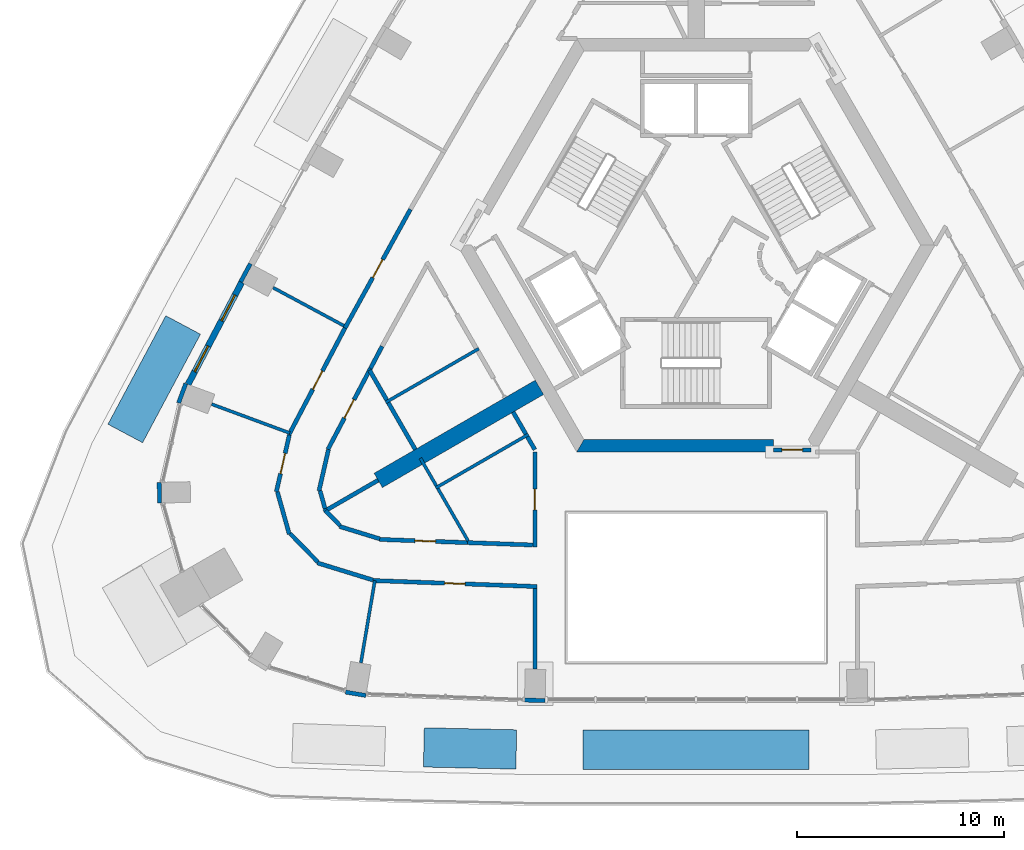
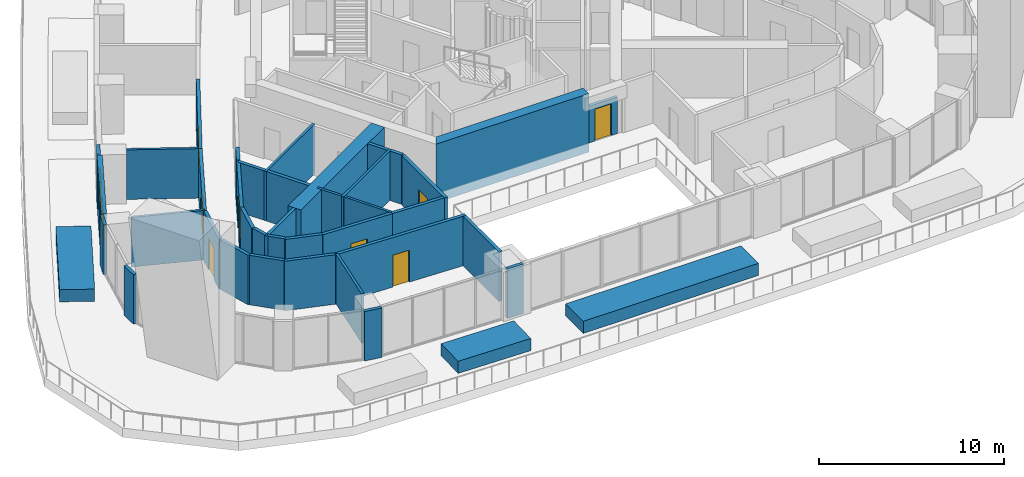
# One storey, part 5 of 14: 41 walls, 8 doors, 2 windows, 10 openings.
"""IFC4 building model written with IfcOpenShell, lengths in metres."""

from ifc_helpers import new_model, si_unit, direction, frame, frame_2d, origin, place, context, subcontext, project, spatial, polyline, rectangle, outline, extrude, material, layer, layer_set, type_object, element, fill, save


model = new_model("IFC4")

# Units and contexts
model_context = context("Model", 3, precision=1e-05, world=origin(), true_north=direction((0.0, 1.0)))
body_context = subcontext(model_context, "Body", "Model", "MODEL_VIEW")
ifc_project = project(units=[si_unit("LENGTHUNIT", "METRE"), si_unit("AREAUNIT", "SQUARE_METRE"), si_unit("VOLUMEUNIT", "CUBIC_METRE"), si_unit("PLANEANGLEUNIT", "RADIAN"), si_unit("MASSUNIT", "GRAM", prefix="KILO")], contexts=[model_context])

# Site, building, storey
site_placement = place(None, origin())
site = spatial("IfcSite", under=ifc_project, at=site_placement, CompositionType="ELEMENT")
building_placement = place(site_placement, origin())
building = spatial("IfcBuilding", under=site, at=building_placement, Name="Entoto Arch Interchange Tower", CompositionType="ELEMENT")
storey_placement = place(building_placement, frame((0.0, 0.0, 241.39990234375)))
storey = spatial("IfcBuildingStorey", under=building, at=storey_placement, Name="L54", CompositionType="ELEMENT", Elevation=241.39990234375)

# Wall
ifc_material_1 = material(Name="Concrete C40/50", Category="concrete")
ifc_layer_1 = layer(ifc_material_1, 0.800048828125)
ifc_layer_set_1 = layer_set([ifc_layer_1], Name="Concrete C40/50")
wall_type_1 = type_object("IfcWallType", Name="Buttress wall 800 C40/50", PredefinedType="SHEAR", material=ifc_layer_set_1)
wall_1_placement = place(storey_placement, frame((-7.577880859375, -4.375, -0.599853515625), z_axis=(0.0, 0.0, 1.0), x_axis=(-0.866024315419, -0.5000018851, 0.0)))
element("IfcWall", 1, at=wall_1_placement, inside=storey, type_object=wall_type_1, Name="Buttress wall SW L54", PredefinedType="SHEAR", context=body_context, shape_type="SweptSolid", body=[
    extrude(rectangle(XDim=9.0, YDim=0.800048828125, at=frame_2d((4.5, 0.0))), origin(), (0.0, 0.0, 1.0), 3.85986328125),
])

# Wall, opening, door
ifc_material_2 = material(Name="Reinforced concrete C40/50", Category="concrete")
ifc_layer_2 = layer(ifc_material_2, 0.199951171875)
ifc_layer_set_2 = layer_set([ifc_layer_2], Name="Reinforced concrete C40/50")
wall_type_2 = type_object("IfcWallType", Name="CORE GAP INFILL WALL", PredefinedType="PARTITIONING", material=ifc_layer_set_2)
wall_2_placement = place(storey_placement, frame((3.75, -7.39990234375, 0.0), z_axis=(0.0, 0.0, 1.0), x_axis=(1.0, 0.0, 0.0)))
wall_2 = element("IfcWall", 2, at=wall_2_placement, inside=storey, type_object=wall_type_2, Name="wall:L54:gap1", PredefinedType="PARTITIONING", context=body_context, shape_type="SweptSolid", body=[
    extrude(rectangle(XDim=1.7939453125, YDim=0.199951171875, at=frame_2d((0.89697265625, 0.0))), origin(), (0.0, 0.0, 1.0), 2.400146484375),
])
opening_1_placement = place(wall_2_placement, frame((0.39697265625, 0.0, 0.0)))
opening_1 = element("IfcOpeningElement", 3, at=opening_1_placement, cuts=wall_2, Name="Opening L54-D91", PredefinedType="OPENING", context=body_context, shape_type="SweptSolid", body=[
    extrude(rectangle(XDim=1.0, YDim=2.10009765625, at=frame_2d((0.5, 1.050048828125))), frame((0.0, 0.10986328125, 0.0), z_axis=(0.0, -1.0, 0.0), x_axis=(1.0, 0.0, 0.0)), (0.0, 0.0, 1.0), 0.219970703125),
])
ifc_material_3 = material(Name="Fire-rated Steel S235 door and frame", Category="steel")
door_type_1 = type_object("IfcDoorType", Name="DOOR FD-10 1000x2100", OperationType="SINGLE_SWING_LEFT", PredefinedType="DOOR", material=ifc_material_3)
door_1_placement = place(opening_1_placement, origin())
door_1 = element("IfcDoor", 4, at=door_1_placement, inside=storey, type_object=door_type_1, Name="door:L54:gap1", OperationType="SINGLE_SWING_LEFT", OverallHeight=2.10009765625, OverallWidth=1.0, PredefinedType="DOOR", context=body_context, shape_type="SweptSolid", body=[
    extrude(rectangle(XDim=1.0, YDim=2.10009765625, at=frame_2d((0.5, 1.050048828125))), frame((0.0, 0.02490234375, 0.0), z_axis=(0.0, -1.0, 0.0), x_axis=(1.0, 0.0, 0.0)), (0.0, 0.0, 1.0), 0.050048828125),
])
fill(opening_1, door_1)

# Walls
ifc_layer_3 = layer(ifc_material_1, 0.60009765625)
ifc_layer_set_3 = layer_set([ifc_layer_3], Name="Concrete C40/50")
wall_type_3 = type_object("IfcWallType", Name="Core wall 600 C40/50", PredefinedType="SHEAR", material=ifc_layer_set_3)
wall_3_placement = place(storey_placement, frame((0.0, 0.0, -0.599853515625)))
element("IfcWall", 5, at=wall_3_placement, inside=storey, type_object=wall_type_3, Name="Core wall S L54", PredefinedType="SHEAR", context=body_context, shape_type="SweptSolid", body=[
    extrude(outline(polyline([(3.75, -7.5), (3.75, -6.89990234375), (-5.427001953125, -6.89990234375), (-5.77392578125, -7.5), (3.75, -7.5)])), origin(), (0.0, 0.0, 1.0), 3.85986328125),
])
ifc_material_4 = material(Name="Gypsum board partition on steel studs", Category="steel")
ifc_layer_4 = layer(ifc_material_4, 0.14990234375)
ifc_layer_set_4 = layer_set([ifc_layer_4], Name="Gypsum board partition on steel studs")
wall_type_4 = type_object("IfcWallType", Name="PARTITION 150", PredefinedType="PARTITIONING", material=ifc_layer_set_4)
wall_4_placement = place(storey_placement, frame((-10.506103515625, -2.5029296875, 0.0), z_axis=(0.0, 0.0, 1.0), x_axis=(-0.866044872465, -0.49996627774, 0.0)))
element("IfcWall", 6, at=wall_4_placement, inside=storey, type_object=wall_type_4, Name="wall:L54:p096", PredefinedType="PARTITIONING", context=body_context, shape_type="SweptSolid", body=[
    extrude(rectangle(XDim=5.200439453125, YDim=0.14990234375, at=frame_2d((2.60009765625, 0.0))), origin(), (0.0, 0.0, 1.0), 3.260009765625),
])
wall_5_placement = place(storey_placement, frame((-8.111083984375, -6.65087890625, 0.0), z_axis=(0.0, 0.0, 1.0), x_axis=(-0.865984471925, -0.50007088936, 0.0)))
element("IfcWall", 7, at=wall_5_placement, inside=storey, type_object=wall_type_4, Name="wall:L54:p098", PredefinedType="PARTITIONING", context=body_context, shape_type="SweptSolid", body=[
    extrude(rectangle(XDim=5.175537109375, YDim=0.14990234375, at=frame_2d((2.587890625, 0.0))), origin(), (0.0, 0.0, 1.0), 3.260009765625),
])
wall_6_placement = place(storey_placement, frame((-12.56494140625, -9.135986328125, 0.0), z_axis=(0.0, 0.0, 1.0), x_axis=(-0.500198329269, 0.865910868044, 0.0)))
element("IfcWall", 8, at=wall_6_placement, inside=storey, type_object=wall_type_4, Name="wall:L54:p100", PredefinedType="PARTITIONING", context=body_context, shape_type="SweptSolid", body=[
    extrude(rectangle(XDim=1.539306640625, YDim=0.14990234375, at=frame_2d((0.76953125, 0.0))), origin(), (0.0, 0.0, 1.0), 3.260009765625),
])
wall_7_placement = place(storey_placement, frame((-11.027099609375, -11.800048828125, 0.0), z_axis=(0.0, 0.0, 1.0), x_axis=(-0.499980071345, 0.866036909293, 0.0)))
element("IfcWall", 9, at=wall_7_placement, inside=storey, type_object=wall_type_4, Name="wall:L54:p101", PredefinedType="PARTITIONING", context=body_context, shape_type="SweptSolid", body=[
    extrude(rectangle(XDim=2.92578125, YDim=0.14990234375, at=frame_2d((1.462890625, 0.0))), origin(), (0.0, 0.0, 1.0), 3.260009765625),
])
wall_8_placement = place(storey_placement, frame((-17.034912109375, -1.39599609375, 0.0), z_axis=(0.0, 0.0, 1.0), x_axis=(-0.88055795398, 0.473938487234, 0.0)))
element("IfcWall", 10, at=wall_8_placement, inside=storey, type_object=wall_type_4, Name="wall:L54:p112", PredefinedType="PARTITIONING", context=body_context, shape_type="SweptSolid", body=[
    extrude(rectangle(XDim=3.88037109375, YDim=0.14990234375, at=frame_2d((1.940185546875, 0.0))), origin(), (0.0, 0.0, 1.0), 3.260009765625),
])
wall_9_placement = place(storey_placement, frame((-19.64892578125, -6.5859375, 0.0), z_axis=(0.0, 0.0, 1.0), x_axis=(-0.937935790958, 0.346808956114, 0.0)))
element("IfcWall", 11, at=wall_9_placement, inside=storey, type_object=wall_type_4, Name="wall:L54:p113", PredefinedType="PARTITIONING", context=body_context, shape_type="SweptSolid", body=[
    extrude(rectangle(XDim=4.028076171875, YDim=0.14990234375, at=frame_2d((2.01416015625, 0.0))), origin(), (0.0, 0.0, 1.0), 3.260009765625),
])
wall_10_placement = place(storey_placement, frame((-15.537109375, -13.721923828125, 0.0), z_axis=(0.0, 0.0, 1.0), x_axis=(-0.167012380144, -0.985954798598, 0.0)))
element("IfcWall", 12, at=wall_10_placement, inside=storey, type_object=wall_type_4, Name="wall:L54:p114", PredefinedType="PARTITIONING", context=body_context, shape_type="SweptSolid", body=[
    extrude(rectangle(XDim=4.02880859375, YDim=0.14990234375, at=frame_2d((2.014404296875, 0.0))), origin(), (0.0, 0.0, 1.0), 3.260009765625),
])
ifc_layer_5 = layer(ifc_material_4, 0.199951171875)
ifc_layer_set_5 = layer_set([ifc_layer_5], Name="Gypsum board partition on steel studs")
wall_type_5 = type_object("IfcWallType", Name="PARTITION 200", PredefinedType="PARTITIONING", material=ifc_layer_set_5)
wall_11_placement = place(storey_placement, frame((-15.18603515625, -2.39111328125, 0.0), z_axis=(0.0, 0.0, 1.0), x_axis=(-0.464794189951, -0.885418748948, 0.0)))
element("IfcWall", 13, at=wall_11_placement, inside=storey, type_object=wall_type_5, Name="wall:L54:p024", PredefinedType="PARTITIONING", context=body_context, shape_type="SweptSolid", body=[
    extrude(rectangle(XDim=1.205078125, YDim=0.199951171875, at=frame_2d((0.6025390625, 0.0))), origin(), (0.0, 0.0, 1.0), 3.260009765625),
])
wall_12_placement = place(storey_placement, frame((-8.235107421875, -6.635986328125, 0.0), z_axis=(0.0, 0.0, 1.0), x_axis=(-0.500089055364, 0.86597398154, 0.0)))
element("IfcWall", 14, at=wall_12_placement, inside=storey, type_object=wall_type_5, Name="wall:L54:p025", PredefinedType="PARTITIONING", context=body_context, shape_type="SweptSolid", body=[
    extrude(rectangle(XDim=1.229736328125, YDim=0.199951171875, at=frame_2d((0.61474609375, 0.0))), origin(), (0.0, 0.0, 1.0), 3.260009765625),
])
wall_13_placement = place(storey_placement, frame((-7.800048828125, -7.389892578125, 0.0), z_axis=(0.0, 0.0, 1.0), x_axis=(-0.499712670472, 0.866191230024, 0.0)))
element("IfcWall", 15, at=wall_13_placement, inside=storey, type_object=wall_type_5, Name="wall:L54:p026", PredefinedType="PARTITIONING", context=body_context, shape_type="SweptSolid", body=[
    extrude(rectangle(XDim=0.72021484375, YDim=0.199951171875, at=frame_2d((0.360107421875, 0.0))), origin(), (0.0, 0.0, 1.0), 3.260009765625),
])
wall_14_placement = place(storey_placement, frame((-11.052001953125, -11.884033203125, 0.0), z_axis=(0.0, 0.0, 1.0), x_axis=(0.999335249241, -0.036456270033, 0.0)))
element("IfcWall", 16, at=wall_14_placement, inside=storey, type_object=wall_type_5, Name="wall:L54:p027", PredefinedType="PARTITIONING", context=body_context, shape_type="SweptSolid", body=[
    extrude(rectangle(XDim=3.154296875, YDim=0.199951171875, at=frame_2d((1.5771484375, 0.0))), origin(), (0.0, 0.0, 1.0), 3.260009765625),
])

# Wall, opening, door
wall_15_placement = place(storey_placement, frame((-15.74609375, -3.4580078125, 0.0), z_axis=(0.0, 0.0, 1.0), x_axis=(-0.465179971699, -0.885216128372, 0.0)))
wall_15 = element("IfcWall", 17, at=wall_15_placement, inside=storey, type_object=wall_type_5, Name="wall:L54:p028", PredefinedType="PARTITIONING", context=body_context, shape_type="SweptSolid", body=[
    extrude(rectangle(XDim=4.423828125, YDim=0.199951171875, at=frame_2d((2.2119140625, 0.0))), origin(), (0.0, 0.0, 1.0), 3.260009765625),
])
opening_2_placement = place(wall_15_placement, frame((1.7119140625, 0.0, 0.0)))
opening_2 = element("IfcOpeningElement", 18, at=opening_2_placement, cuts=wall_15, Name="Opening L54-D22", PredefinedType="OPENING", context=body_context, shape_type="SweptSolid", body=[
    extrude(rectangle(XDim=1.0, YDim=2.10009765625, at=frame_2d((0.5, 1.050048828125))), frame((0.0, 0.10986328125, 0.0), z_axis=(0.0, -1.0, 0.0), x_axis=(1.0, 0.0, 0.0)), (0.0, 0.0, 1.0), 0.219970703125),
])
ifc_material_5 = material(Name="Timber door leaf in Steel S235 frame", Category="steel")
door_type_2 = type_object("IfcDoorType", Name="DOOR DS-10 1000x2100", OperationType="SINGLE_SWING_LEFT", PredefinedType="DOOR", material=ifc_material_5)
door_2_placement = place(opening_2_placement, origin())
door_2 = element("IfcDoor", 19, at=door_2_placement, inside=storey, type_object=door_type_2, Name="door:L54:22", OperationType="SINGLE_SWING_LEFT", OverallHeight=2.10009765625, OverallWidth=1.0, PredefinedType="DOOR", context=body_context, shape_type="SweptSolid", body=[
    extrude(rectangle(XDim=1.0, YDim=2.10009765625, at=frame_2d((0.5, 1.050048828125))), frame((0.0, 0.02490234375, 0.0), z_axis=(0.0, -1.0, 0.0), x_axis=(1.0, 0.0, 0.0)), (0.0, 0.0, 1.0), 0.050048828125),
])
fill(opening_2, door_2)

# Walls
wall_16_placement = place(storey_placement, frame((-17.780029296875, -7.383056640625, 0.0), z_axis=(0.0, 0.0, 1.0), x_axis=(-0.222760041204, -0.974873306662, 0.0)))
element("IfcWall", 20, at=wall_16_placement, inside=storey, type_object=wall_type_5, Name="wall:L54:p029", PredefinedType="PARTITIONING", context=body_context, shape_type="SweptSolid", body=[
    extrude(rectangle(XDim=2.04736328125, YDim=0.199951171875, at=frame_2d((1.023681640625, 0.0))), origin(), (0.0, 0.0, 1.0), 3.260009765625),
])
wall_17_placement = place(storey_placement, frame((-18.18701171875, -9.3779296875, 0.0), z_axis=(0.0, 0.0, 1.0), x_axis=(0.270785141481, -0.962639811743, 0.0)))
element("IfcWall", 21, at=wall_17_placement, inside=storey, type_object=wall_type_5, Name="wall:L54:p030", PredefinedType="PARTITIONING", context=body_context, shape_type="SweptSolid", body=[
    extrude(rectangle(XDim=0.8935546875, YDim=0.199951171875, at=frame_2d((0.44677734375, 0.0))), origin(), (0.0, 0.0, 1.0), 3.260009765625),
])
wall_18_placement = place(storey_placement, frame((-17.9150390625, -10.343994140625, 0.0), z_axis=(0.0, 0.0, 1.0), x_axis=(0.698527813511, -0.715582904877, 0.0)))
element("IfcWall", 22, at=wall_18_placement, inside=storey, type_object=wall_type_5, Name="wall:L54:p031", PredefinedType="PARTITIONING", context=body_context, shape_type="SweptSolid", body=[
    extrude(rectangle(XDim=1.001953125, YDim=0.199951171875, at=frame_2d((0.5009765625, 0.0))), origin(), (0.0, 0.0, 1.0), 3.260009765625),
])
wall_19_placement = place(storey_placement, frame((-17.240966796875, -11.10302734375, 0.0), z_axis=(0.0, 0.0, 1.0), x_axis=(0.95563113363, -0.294566013716, 0.0)))
element("IfcWall", 23, at=wall_19_placement, inside=storey, type_object=wall_type_5, Name="wall:L54:p032", PredefinedType="PARTITIONING", context=body_context, shape_type="SweptSolid", body=[
    extrude(rectangle(XDim=2.036376953125, YDim=0.199951171875, at=frame_2d((1.01806640625, 0.0))), origin(), (0.0, 0.0, 1.0), 3.260009765625),
])

# Wall, opening, door
wall_20_placement = place(storey_placement, frame((-15.300048828125, -11.72900390625, 0.0), z_axis=(0.0, 0.0, 1.0), x_axis=(0.999326350165, -0.036699398722, 0.0)))
wall_20 = element("IfcWall", 24, at=wall_20_placement, inside=storey, type_object=wall_type_5, Name="wall:L54:p033", PredefinedType="PARTITIONING", context=body_context, shape_type="SweptSolid", body=[
    extrude(rectangle(XDim=4.2509765625, YDim=0.199951171875, at=frame_2d((2.12548828125, 0.0))), origin(), (0.0, 0.0, 1.0), 3.260009765625),
])
opening_3_placement = place(wall_20_placement, frame((1.699951171875, 0.0, 0.0)))
opening_3 = element("IfcOpeningElement", 25, at=opening_3_placement, cuts=wall_20, Name="Opening L54-D23", PredefinedType="OPENING", context=body_context, shape_type="SweptSolid", body=[
    extrude(rectangle(XDim=1.0, YDim=2.10009765625, at=frame_2d((0.5, 1.050048828125))), frame((0.0, 0.10986328125, 0.0), z_axis=(0.0, -1.0, 0.0), x_axis=(1.0, 0.0, 0.0)), (0.0, 0.0, 1.0), 0.219970703125),
])
door_3_placement = place(opening_3_placement, origin())
door_3 = element("IfcDoor", 26, at=door_3_placement, inside=storey, type_object=door_type_2, Name="door:L54:23", OperationType="SINGLE_SWING_LEFT", OverallHeight=2.10009765625, OverallWidth=1.0, PredefinedType="DOOR", context=body_context, shape_type="SweptSolid", body=[
    extrude(rectangle(XDim=1.0, YDim=2.10009765625, at=frame_2d((0.5, 1.050048828125))), frame((0.0, 0.02490234375, 0.0), z_axis=(0.0, -1.0, 0.0), x_axis=(1.0, 0.0, 0.0)), (0.0, 0.0, 1.0), 0.050048828125),
])
fill(opening_3, door_3)

wall_21_placement = place(storey_placement, frame((-16.98291015625, -1.509033203125, 0.0), z_axis=(0.0, 0.0, 1.0), x_axis=(0.482785999899, 0.875738361785, 0.0)))
wall_21 = element("IfcWall", 27, at=wall_21_placement, inside=storey, type_object=wall_type_5, Name="wall:L54:p054", PredefinedType="PARTITIONING", context=body_context, shape_type="SweptSolid", body=[
    extrude(rectangle(XDim=6.557861328125, YDim=0.199951171875, at=frame_2d((3.27880859375, 0.0))), origin(), (0.0, 0.0, 1.0), 3.260009765625),
])
opening_4_placement = place(wall_21_placement, frame((2.779052734375, 0.0, 0.0)))
opening_4 = element("IfcOpeningElement", 28, at=opening_4_placement, cuts=wall_21, Name="Opening L54-D10", PredefinedType="OPENING", context=body_context, shape_type="SweptSolid", body=[
    extrude(rectangle(XDim=1.0, YDim=2.10009765625, at=frame_2d((0.5, 1.050048828125))), frame((0.0, 0.10986328125, 0.0), z_axis=(0.0, -1.0, 0.0), x_axis=(1.0, 0.0, 0.0)), (0.0, 0.0, 1.0), 0.219970703125),
])
door_4_placement = place(opening_4_placement, origin())
door_4 = element("IfcDoor", 29, at=door_4_placement, inside=storey, type_object=door_type_2, Name="door:L54:10", OperationType="SINGLE_SWING_LEFT", OverallHeight=2.10009765625, OverallWidth=1.0, PredefinedType="DOOR", context=body_context, shape_type="SweptSolid", body=[
    extrude(rectangle(XDim=1.0, YDim=2.10009765625, at=frame_2d((0.5, 1.050048828125))), frame((0.0, 0.02490234375, 0.0), z_axis=(0.0, -1.0, 0.0), x_axis=(1.0, 0.0, 0.0)), (0.0, 0.0, 1.0), 0.050048828125),
])
fill(opening_4, door_4)

wall_22_placement = place(storey_placement, frame((-19.696044921875, -6.675048828125, 0.0), z_axis=(0.0, 0.0, 1.0), x_axis=(0.465165163774, 0.88522390976, 0.0)))
wall_22 = element("IfcWall", 30, at=wall_22_placement, inside=storey, type_object=wall_type_5, Name="wall:L54:p056", PredefinedType="PARTITIONING", context=body_context, shape_type="SweptSolid", body=[
    extrude(rectangle(XDim=5.834716796875, YDim=0.199951171875, at=frame_2d((2.91748046875, 0.0))), origin(), (0.0, 0.0, 1.0), 3.260009765625),
])
opening_5_placement = place(wall_22_placement, frame((2.491943359375, 0.0, 0.0)))
opening_5 = element("IfcOpeningElement", 31, at=opening_5_placement, cuts=wall_22, Name="Opening L54-D11", PredefinedType="OPENING", context=body_context, shape_type="SweptSolid", body=[
    extrude(rectangle(XDim=1.0, YDim=2.10009765625, at=frame_2d((0.5, 1.050048828125))), frame((0.0, 0.10986328125, 0.0), z_axis=(0.0, -1.0, 0.0), x_axis=(1.0, 0.0, 0.0)), (0.0, 0.0, 1.0), 0.219970703125),
])
door_5_placement = place(opening_5_placement, origin())
door_5 = element("IfcDoor", 32, at=door_5_placement, inside=storey, type_object=door_type_2, Name="door:L54:11", OperationType="SINGLE_SWING_LEFT", OverallHeight=2.10009765625, OverallWidth=1.0, PredefinedType="DOOR", context=body_context, shape_type="SweptSolid", body=[
    extrude(rectangle(XDim=1.0, YDim=2.10009765625, at=frame_2d((0.5, 1.050048828125))), frame((0.0, 0.02490234375, 0.0), z_axis=(0.0, -1.0, 0.0), x_axis=(1.0, 0.0, 0.0)), (0.0, 0.0, 1.0), 0.050048828125),
])
fill(opening_5, door_5)

# Walls
wall_23_placement = place(storey_placement, frame((-15.632080078125, -13.69189453125, 0.0), z_axis=(0.0, 0.0, 1.0), x_axis=(-0.955600342663, 0.294665887239, 0.0)))
element("IfcWall", 33, at=wall_23_placement, inside=storey, type_object=wall_type_5, Name="wall:L54:p057", PredefinedType="PARTITIONING", context=body_context, shape_type="SweptSolid", body=[
    extrude(rectangle(XDim=2.8095703125, YDim=0.199951171875, at=frame_2d((1.40478515625, 0.0))), origin(), (0.0, 0.0, 1.0), 3.260009765625),
])
wall_24_placement = place(storey_placement, frame((-18.291015625, -12.822021484375, 0.0), z_axis=(0.0, 0.0, 1.0), x_axis=(-0.698477855606, 0.715631668687, 0.0)))
element("IfcWall", 34, at=wall_24_placement, inside=storey, type_object=wall_type_5, Name="wall:L54:p058", PredefinedType="PARTITIONING", context=body_context, shape_type="SweptSolid", body=[
    extrude(rectangle(XDim=1.92138671875, YDim=0.199951171875, at=frame_2d((0.960693359375, 0.0))), origin(), (0.0, 0.0, 1.0), 3.260009765625),
])
wall_25_placement = place(storey_placement, frame((-19.675048828125, -11.471923828125, 0.0), z_axis=(0.0, 0.0, 1.0), x_axis=(-0.270905475888, 0.962605954238, 0.0)))
element("IfcWall", 35, at=wall_25_placement, inside=storey, type_object=wall_type_5, Name="wall:L54:p059", PredefinedType="PARTITIONING", context=body_context, shape_type="SweptSolid", body=[
    extrude(rectangle(XDim=2.122314453125, YDim=0.199951171875, at=frame_2d((1.06103515625, 0.0))), origin(), (0.0, 0.0, 1.0), 3.260009765625),
])

# Wall, opening, door
wall_26_placement = place(storey_placement, frame((-20.299072265625, -9.429931640625, 0.0), z_axis=(0.0, 0.0, 1.0), x_axis=(0.222523624687, 0.974927298036, 0.0)))
wall_26 = element("IfcWall", 36, at=wall_26_placement, inside=storey, type_object=wall_type_5, Name="wall:L54:p060", PredefinedType="PARTITIONING", context=body_context, shape_type="SweptSolid", body=[
    extrude(rectangle(XDim=2.8173828125, YDim=0.199951171875, at=frame_2d((1.40869140625, 0.0))), origin(), (0.0, 0.0, 1.0), 3.260009765625),
])
opening_6_placement = place(wall_26_placement, frame((0.908935546875, 0.0, 0.0)))
opening_6 = element("IfcOpeningElement", 37, at=opening_6_placement, cuts=wall_26, Name="Opening L54-D12", PredefinedType="OPENING", context=body_context, shape_type="SweptSolid", body=[
    extrude(rectangle(XDim=1.0, YDim=2.10009765625, at=frame_2d((0.5, 1.050048828125))), frame((0.0, 0.10986328125, 0.0), z_axis=(0.0, -1.0, 0.0), x_axis=(1.0, 0.0, 0.0)), (0.0, 0.0, 1.0), 0.219970703125),
])
door_6_placement = place(opening_6_placement, origin())
door_6 = element("IfcDoor", 38, at=door_6_placement, inside=storey, type_object=door_type_2, Name="door:L54:12", OperationType="SINGLE_SWING_LEFT", OverallHeight=2.10009765625, OverallWidth=1.0, PredefinedType="DOOR", context=body_context, shape_type="SweptSolid", body=[
    extrude(rectangle(XDim=1.0, YDim=2.10009765625, at=frame_2d((0.5, 1.050048828125))), frame((0.0, 0.02490234375, 0.0), z_axis=(0.0, -1.0, 0.0), x_axis=(1.0, 0.0, 0.0)), (0.0, 0.0, 1.0), 0.050048828125),
])
fill(opening_6, door_6)

wall_27_placement = place(storey_placement, frame((-7.699951171875, -14.008056640625, 0.0), z_axis=(0.0, 0.0, 1.0), x_axis=(-0.99933282306, 0.036522715615, 0.0)))
wall_27 = element("IfcWall", 39, at=wall_27_placement, inside=storey, type_object=wall_type_5, Name="wall:L54:p061", PredefinedType="PARTITIONING", context=body_context, shape_type="SweptSolid", body=[
    extrude(rectangle(XDim=7.94140625, YDim=0.199951171875, at=frame_2d((3.970703125, 0.0))), origin(), (0.0, 0.0, 1.0), 3.260009765625),
])
opening_7_placement = place(wall_27_placement, frame((3.470947265625, 0.0, 0.0)))
opening_7 = element("IfcOpeningElement", 40, at=opening_7_placement, cuts=wall_27, Name="Opening L54-D13", PredefinedType="OPENING", context=body_context, shape_type="SweptSolid", body=[
    extrude(rectangle(XDim=1.0, YDim=2.10009765625, at=frame_2d((0.5, 1.050048828125))), frame((0.0, 0.10986328125, 0.0), z_axis=(0.0, -1.0, 0.0), x_axis=(1.0, 0.0, 0.0)), (0.0, 0.0, 1.0), 0.219970703125),
])
door_7_placement = place(opening_7_placement, origin())
door_7 = element("IfcDoor", 41, at=door_7_placement, inside=storey, type_object=door_type_2, Name="door:L54:13", OperationType="SINGLE_SWING_RIGHT", OverallHeight=2.10009765625, OverallWidth=1.0, PredefinedType="DOOR", context=body_context, shape_type="SweptSolid", body=[
    extrude(rectangle(XDim=1.0, YDim=2.10009765625, at=frame_2d((0.5, 1.050048828125))), frame((0.0, 0.02490234375, 0.0), z_axis=(0.0, -1.0, 0.0), x_axis=(1.0, 0.0, 0.0)), (0.0, 0.0, 1.0), 0.050048828125),
])
fill(opening_7, door_7)

wall_28_placement = place(storey_placement, frame((-7.800048828125, -12.10302734375, 0.0), z_axis=(0.0, 0.0, 1.0), x_axis=(0.0, 1.0, 0.0)))
wall_28 = element("IfcWall", 42, at=wall_28_placement, inside=storey, type_object=wall_type_5, Name="wall:L54:p088", PredefinedType="PARTITIONING", context=body_context, shape_type="SweptSolid", body=[
    extrude(rectangle(XDim=4.60400390625, YDim=0.199951171875, at=frame_2d((2.302001953125, 0.0))), origin(), (0.0, 0.0, 1.0), 3.260009765625),
])
opening_8_placement = place(wall_28_placement, frame((1.802001953125, 0.0, 0.0)))
opening_8 = element("IfcOpeningElement", 43, at=opening_8_placement, cuts=wall_28, Name="Opening L54-D21", PredefinedType="OPENING", context=body_context, shape_type="SweptSolid", body=[
    extrude(rectangle(XDim=1.0, YDim=2.10009765625, at=frame_2d((0.5, 1.050048828125))), frame((0.0, 0.10986328125, 0.0), z_axis=(0.0, -1.0, 0.0), x_axis=(1.0, 0.0, 0.0)), (0.0, 0.0, 1.0), 0.219970703125),
])
door_8_placement = place(opening_8_placement, origin())
door_8 = element("IfcDoor", 44, at=door_8_placement, inside=storey, type_object=door_type_2, Name="door:L54:21", OperationType="SINGLE_SWING_LEFT", OverallHeight=2.10009765625, OverallWidth=1.0, PredefinedType="DOOR", context=body_context, shape_type="SweptSolid", body=[
    extrude(rectangle(XDim=1.0, YDim=2.10009765625, at=frame_2d((0.5, 1.050048828125))), frame((0.0, 0.02490234375, 0.0), z_axis=(0.0, -1.0, 0.0), x_axis=(1.0, 0.0, 0.0)), (0.0, 0.0, 1.0), 0.050048828125),
])
fill(opening_8, door_8)

# Walls
wall_29_placement = place(storey_placement, frame((-7.800048828125, -17.988037109375, 0.0), z_axis=(0.0, 0.0, 1.0), x_axis=(0.0, 1.0, 0.0)))
element("IfcWall", 45, at=wall_29_placement, inside=storey, type_object=wall_type_5, Name="wall:L54:p090", PredefinedType="PARTITIONING", context=body_context, shape_type="SweptSolid", body=[
    extrude(rectangle(XDim=3.884033203125, YDim=0.199951171875, at=frame_2d((1.94189453125, 0.0))), origin(), (0.0, 0.0, 1.0), 3.260009765625),
])
wall_30_placement = place(storey_placement, frame((-14.9599609375, -4.988037109375, 0.0), z_axis=(0.0, 0.0, 1.0), x_axis=(-0.500175017317, 0.865924333907, 0.0)))
element("IfcWall", 46, at=wall_30_placement, inside=storey, type_object=wall_type_5, Name="wall:L54:p097", PredefinedType="PARTITIONING", context=body_context, shape_type="SweptSolid", body=[
    extrude(rectangle(XDim=1.66552734375, YDim=0.199951171875, at=frame_2d((0.832763671875, 0.0))), origin(), (0.0, 0.0, 1.0), 3.260009765625),
])
wall_31_placement = place(storey_placement, frame((-13.580078125, -7.37890625, 0.0), z_axis=(0.0, 0.0, 1.0), x_axis=(-0.499870876044, 0.866099940701, 0.0)))
element("IfcWall", 47, at=wall_31_placement, inside=storey, type_object=wall_type_5, Name="wall:L54:p099", PredefinedType="PARTITIONING", context=body_context, shape_type="SweptSolid", body=[
    extrude(rectangle(XDim=2.610595703125, YDim=0.199951171875, at=frame_2d((1.30517578125, 0.0))), origin(), (0.0, 0.0, 1.0), 3.260009765625),
])
wall_32_placement = place(storey_placement, frame((-15.376953125, -8.866943359375, 0.0), z_axis=(0.0, 0.0, 1.0), x_axis=(-0.865965767548, -0.500103278768, 0.0)))
element("IfcWall", 48, at=wall_32_placement, inside=storey, type_object=wall_type_5, Name="wall:L54:p102", PredefinedType="PARTITIONING", context=body_context, shape_type="SweptSolid", body=[
    extrude(rectangle(XDim=3.033447265625, YDim=0.199951171875, at=frame_2d((1.5166015625, 0.0))), origin(), (0.0, 0.0, 1.0), 3.260009765625),
])
ifc_material_6 = material(Name="Board-marked precast concrete C50/60", Category="concrete")
ifc_layer_6 = layer(ifc_material_6, 1.89990234375)
ifc_layer_set_6 = layer_set([ifc_layer_6], Name="Board-marked precast concrete C50/60")
wall_type_6 = type_object("IfcWallType", Name="PLANTER RC 1900 Afrocarpus falcatus", PredefinedType="STANDARD", material=ifc_layer_set_6)
wall_33_placement = place(storey_placement, frame((-24.805908203125, -1.360107421875, 0.0), z_axis=(0.0, 0.0, 1.0), x_axis=(-0.470628729942, -0.882331342837, 0.0)))
element("IfcWall", 49, at=wall_33_placement, inside=storey, type_object=wall_type_6, Name="Terrace planter NW-05 L54", PredefinedType="STANDARD", context=body_context, shape_type="SweptSolid", body=[
    extrude(rectangle(XDim=5.945556640625, YDim=1.89990234375, at=frame_2d((2.97265625, 0.0))), origin(), (0.0, 0.0, 1.0), 0.800048828125),
])
ifc_layer_7 = layer(ifc_material_6, 1.89990234375)
ifc_layer_set_7 = layer_set([ifc_layer_7], Name="Board-marked precast concrete C50/60")
wall_type_7 = type_object("IfcWallType", Name="PLANTER RC 1900 Olea europaea subsp. cuspidata", PredefinedType="STANDARD", material=ifc_layer_set_7)
wall_34_placement = place(storey_placement, frame((-5.4599609375, -21.906005859375, 0.0), z_axis=(0.0, 0.0, 1.0), x_axis=(1.0, 0.0, 0.0)))
element("IfcWall", 50, at=wall_34_placement, inside=storey, type_object=wall_type_7, Name="Terrace planter S-03 L54", PredefinedType="STANDARD", context=body_context, shape_type="SweptSolid", body=[
    extrude(rectangle(XDim=10.919921875, YDim=1.89990234375, at=frame_2d((5.4599609375, 0.0))), origin(), (0.0, 0.0, 1.0), 0.800048828125),
])
ifc_layer_8 = layer(ifc_material_6, 1.89990234375)
ifc_layer_set_8 = layer_set([ifc_layer_8], Name="Board-marked precast concrete C50/60")
wall_type_8 = type_object("IfcWallType", Name="PLANTER RC 1900 Vachellia abyssinica", PredefinedType="STANDARD", material=ifc_layer_set_8)
wall_35_placement = place(storey_placement, frame((-13.1669921875, -21.785888671875, 0.0), z_axis=(0.0, 0.0, 1.0), x_axis=(0.999754120452, -0.022174278771, 0.0)))
element("IfcWall", 51, at=wall_35_placement, inside=storey, type_object=wall_type_8, Name="Terrace planter S-02 L54", PredefinedType="STANDARD", context=body_context, shape_type="SweptSolid", body=[
    extrude(rectangle(XDim=4.47021484375, YDim=1.89990234375, at=frame_2d((2.235107421875, 0.0))), origin(), (0.0, 0.0, 1.0), 0.800048828125),
])

# Wall, openings, windows
ifc_material_7 = material(Name="Welded tuff (ignimbrite) cladding, warm buff", Category="masonry")
ifc_layer_9 = layer(ifc_material_7, 0.300048828125)
ifc_layer_set_9 = layer_set([ifc_layer_9], Name="Welded tuff (ignimbrite) cladding, warm buff")
wall_type_9 = type_object("IfcWallType", Name="STONE INFILL WALL 300", PredefinedType="STANDARD", material=ifc_layer_set_9)
wall_36_placement = place(storey_placement, frame((-21.97802734375, 0.697998046875, 0.0), z_axis=(0.0, 0.0, 1.0), x_axis=(-0.465228032148, -0.885190871001, 0.0)))
wall_36 = element("IfcWall", 52, at=wall_36_placement, inside=storey, type_object=wall_type_9, Name="Facade wall NW-05 L54", PredefinedType="STANDARD", context=body_context, shape_type="SweptSolid", body=[
    extrude(rectangle(XDim=5.571533203125, YDim=0.300048828125, at=frame_2d((2.78564453125, 0.0))), origin(), (0.0, 0.0, 1.0), 3.260009765625),
])
opening_9_placement = place(wall_36_placement, frame((0.693115234375, 0.0, 0.89990234375)))
opening_9 = element("IfcOpeningElement", 53, at=opening_9_placement, cuts=wall_36, Name="Opening WH-B", PredefinedType="OPENING", context=body_context, shape_type="SweptSolid", body=[
    extrude(rectangle(XDim=1.39990234375, YDim=2.0, at=frame_2d((0.699951171875, 1.0))), frame((0.0, 0.16015625, 0.0), z_axis=(0.0, -1.0, 0.0), x_axis=(1.0, 0.0, 0.0)), (0.0, 0.0, 1.0), 0.320068359375),
])
opening_10_placement = place(wall_36_placement, frame((3.47900390625, 0.0, 0.89990234375)))
opening_10 = element("IfcOpeningElement", 54, at=opening_10_placement, cuts=wall_36, Name="Opening WH-B", PredefinedType="OPENING", context=body_context, shape_type="SweptSolid", body=[
    extrude(rectangle(XDim=1.39990234375, YDim=2.0, at=frame_2d((0.699951171875, 1.0))), frame((0.0, 0.16015625, 0.0), z_axis=(0.0, -1.0, 0.0), x_axis=(1.0, 0.0, 0.0)), (0.0, 0.0, 1.0), 0.320068359375),
])
ifc_material_8 = material(Name="Clear glass, low-e double glazed", Category="glass")
window_type = type_object("IfcWindowType", Name="WINDOW WH-B 1400x2000", PartitioningType="DOUBLE_PANEL_VERTICAL", PredefinedType="WINDOW", material=ifc_material_8)
window_1_placement = place(opening_9_placement, origin())
window_1 = element("IfcWindow", 55, at=window_1_placement, inside=storey, type_object=window_type, Name="Window WH-B NW-05 L54", OverallHeight=2.0, OverallWidth=1.39990234375, PartitioningType="SINGLE_PANEL", PredefinedType="WINDOW", context=body_context, shape_type="SweptSolid", body=[
    extrude(rectangle(XDim=1.39990234375, YDim=2.0, at=frame_2d((0.699951171875, 1.0))), frame((0.0, 0.030029296875, 0.0), z_axis=(0.0, -1.0, 0.0), x_axis=(1.0, 0.0, 0.0)), (0.0, 0.0, 1.0), 0.06005859375),
])
fill(opening_9, window_1)
window_2_placement = place(opening_10_placement, origin())
window_2 = element("IfcWindow", 56, at=window_2_placement, inside=storey, type_object=window_type, Name="Window WH-B NW-05 L54", OverallHeight=2.0, OverallWidth=1.39990234375, PartitioningType="SINGLE_PANEL", PredefinedType="WINDOW", context=body_context, shape_type="SweptSolid", body=[
    extrude(rectangle(XDim=1.39990234375, YDim=2.0, at=frame_2d((0.699951171875, 1.0))), frame((0.0, 0.030029296875, 0.0), z_axis=(0.0, -1.0, 0.0), x_axis=(1.0, 0.0, 0.0)), (0.0, 0.0, 1.0), 0.06005859375),
])
fill(opening_10, window_2)

# Walls
ifc_layer_10 = layer(ifc_material_7, 0.199951171875)
ifc_layer_set_10 = layer_set([ifc_layer_10], Name="Welded tuff (ignimbrite) cladding, warm buff")
wall_type_10 = type_object("IfcWallType", Name="STONE PIER CLADDING 200", PredefinedType="STANDARD", material=ifc_layer_set_10)
wall_37_placement = place(storey_placement, frame((-21.552978515625, 1.60400390625, 0.0), z_axis=(0.0, 0.0, 1.0), x_axis=(-0.473852444207, -0.880604259085, 0.0)))
element("IfcWall", 57, at=wall_37_placement, inside=storey, type_object=wall_type_10, Name="Stone pier NW05 L54", PredefinedType="STANDARD", context=body_context, shape_type="SweptSolid", body=[
    extrude(rectangle(XDim=1.00048828125, YDim=0.199951171875, at=frame_2d((0.500244140625, 0.0))), origin(), (0.0, 0.0, 1.0), 3.260009765625),
])
wall_38_placement = place(storey_placement, frame((-24.678955078125, -4.193115234375, 0.0), z_axis=(0.0, 0.0, 1.0), x_axis=(-0.346892928577, -0.937904737222, 0.0)))
element("IfcWall", 58, at=wall_38_placement, inside=storey, type_object=wall_type_10, Name="Stone pier NW06 L54", PredefinedType="STANDARD", context=body_context, shape_type="SweptSolid", body=[
    extrude(rectangle(XDim=1.0, YDim=0.199951171875, at=frame_2d((0.5, 0.0))), origin(), (0.0, 0.0, 1.0), 3.260009765625),
])
for number, where, z_axis, x_axis, name in (
    (59, (-16.9560546875, -19.10888671875, 0.0), (0.0, 0.0, 1.0), (0.985961725342, -0.166971483074, 0.0), "Stone pier S01 L54"),
    (60, (-8.298095703125, -19.4990234375, 0.0), (0.0, 0.0, 1.0), (0.999836842422, -0.018063458579, 0.0), "Stone pier S02 L54"),
):
    element("IfcWall", number, at=place(storey_placement, frame(where, z_axis=z_axis, x_axis=x_axis)), inside=storey, type_object=wall_type_10, Name=name, PredefinedType="STANDARD", context=body_context, shape_type="SweptSolid", body=[
        extrude(rectangle(XDim=1.000244140625, YDim=0.199951171875, at=frame_2d((0.5, 0.0))), origin(), (0.0, 0.0, 1.0), 3.260009765625),
    ])
wall_39_placement = place(storey_placement, frame((-25.966064453125, -8.97412109375, 0.0), z_axis=(0.0, 0.0, 1.0), x_axis=(0.024192379573, -0.999707321555, 0.0)))
element("IfcWall", 61, at=wall_39_placement, inside=storey, type_object=wall_type_10, Name="Stone pier SW1 L54", PredefinedType="STANDARD", context=body_context, shape_type="SweptSolid", body=[
    extrude(rectangle(XDim=0.9990234375, YDim=0.199951171875, at=frame_2d((0.49951171875, 0.0))), origin(), (0.0, 0.0, 1.0), 3.260009765625),
])

save(model, "model.ifc")
